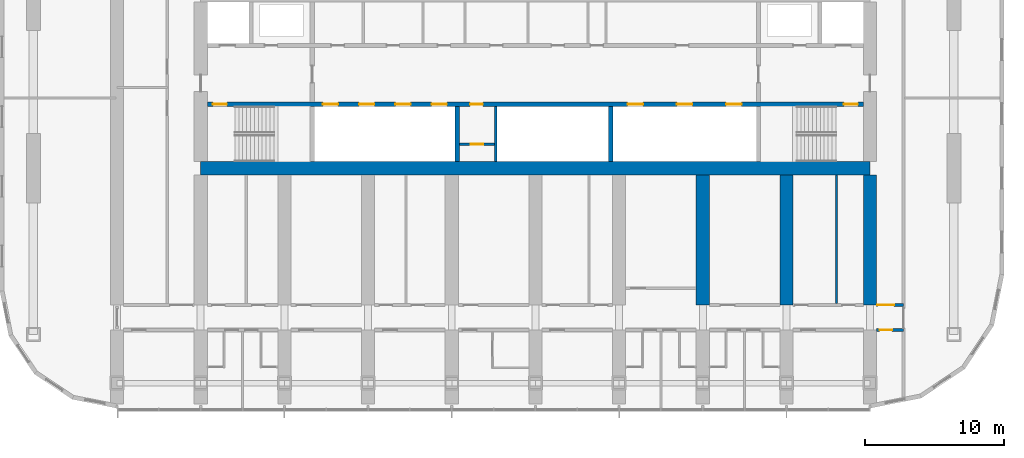
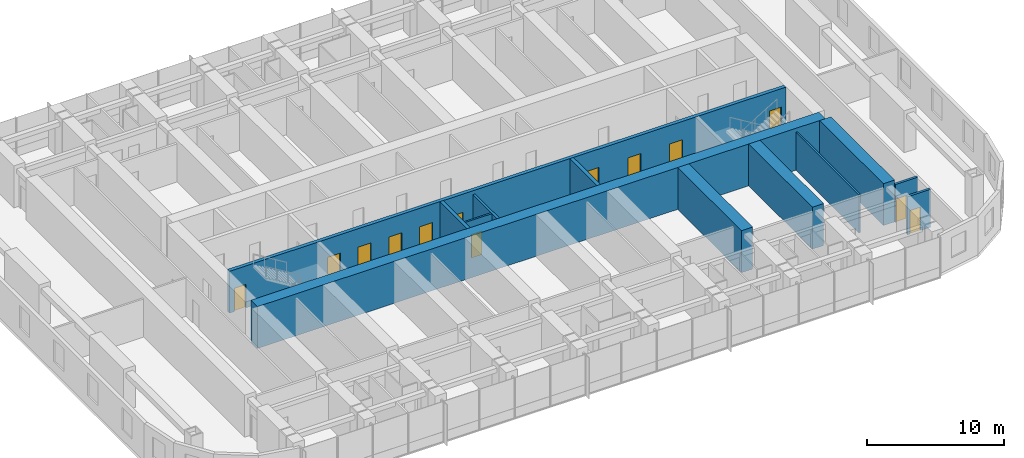
# One storey, part 11 of 20: 13 doors, 12 walls, 13 openings.
"""IFC4 building model written with IfcOpenShell, lengths in metres."""

import ifcopenshell
import ifcopenshell.guid

model = None  # the IFC model being written
_history = None  # IfcOwnerHistory: only IFC2X3 demands one
_inside = {}  # id of a spatial element -> (the spatial element, [elements in it])
_under = {}  # id of a project, library or spatial element -> (it, [spatial elements below it])
_declared = {}  # id of a project -> (the project, [libraries it declares])
_typed = {}  # id of a type object -> (the type object, [elements of that type])
_made_of = {}  # id of a material, layer set ... -> (it, [elements and type objects made of it])


def new_model(schema):
    """Start an empty IFC model of exactly this schema.

    Asked for "IFC4X3", IfcOpenShell would pick the latest addendum, in which some entities
    have other attributes; the version numbers below select the first issue.
    IFC2X3 requires an IfcOwnerHistory on every rooted entity: one is made here for all.
    """
    global model, _history
    if schema == "IFC4X3":
        model = ifcopenshell.file(schema_version=(4, 3, 0, 0))
    else:
        model = ifcopenshell.file(schema=schema)
    _inside.clear()
    _under.clear()
    _declared.clear()
    _typed.clear()
    _made_of.clear()
    _history = None
    if model.schema == "IFC2X3":
        org = make("IfcOrganization", Name="unknown")
        user = make(
            "IfcPersonAndOrganization",
            ThePerson=make("IfcPerson", FamilyName="unknown"),
            TheOrganization=org,
        )
        app = make(
            "IfcApplication",
            ApplicationDeveloper=org,
            Version="unknown",
            ApplicationFullName="unknown",
            ApplicationIdentifier="unknown",
        )
        _history = make(
            "IfcOwnerHistory",
            OwningUser=user,
            OwningApplication=app,
            ChangeAction="ADDED",
            CreationDate=0,
        )
    return model


def make(cls, **values):
    """One entity of the class cls with the attributes given. An attribute that is None is left unset."""
    return model.create_entity(
        cls, **{name: value for name, value in values.items() if value is not None}
    )


def rooted(cls, **values):
    """An entity with a GlobalId (a new one), such as an element, a storey or a relation."""
    return make(cls, GlobalId=ifcopenshell.guid.new(), OwnerHistory=_history, **values)


def si_unit(unit_type, name, prefix=None):
    """IfcSIUnit, for example si_unit("LENGTHUNIT", "METRE", prefix="MILLI")."""
    return make("IfcSIUnit", UnitType=unit_type, Prefix=prefix, Name=name)


def assignment(units):
    """IfcUnitAssignment: the units of a project."""
    return None if units is None else make("IfcUnitAssignment", Units=units)


def point(xyz):
    """IfcCartesianPoint."""
    return None if xyz is None else make("IfcCartesianPoint", Coordinates=xyz)


def direction(xyz):
    """IfcDirection."""
    return None if xyz is None else make("IfcDirection", DirectionRatios=xyz)


def frame(location, z_axis=None, x_axis=None):
    """IfcAxis2Placement3D, a coordinate frame: its origin and axes. An axis left out is left unset."""
    return make(
        "IfcAxis2Placement3D",
        Location=point(location),
        Axis=direction(z_axis),
        RefDirection=direction(x_axis),
    )


def frame_2d(location, x_axis=None):
    """IfcAxis2Placement2D, a coordinate frame in the plane: its origin and x axis."""
    return make(
        "IfcAxis2Placement2D", Location=point(location), RefDirection=direction(x_axis)
    )


def origin():
    """The frame at (0, 0, 0) with its axes left unset."""
    return frame((0.0, 0.0, 0.0))


def place(relative_to, where):
    """IfcLocalPlacement: puts the frame where relative to a parent placement (None: the world)."""
    return make(
        "IfcLocalPlacement", PlacementRelTo=relative_to, RelativePlacement=where
    )


def context(
    kind, dimensions, precision=None, world=None, true_north=None, identifier=None
):
    """IfcGeometricRepresentationContext, for example the 3D "Model" context."""
    return make(
        "IfcGeometricRepresentationContext",
        ContextIdentifier=identifier,
        ContextType=kind,
        CoordinateSpaceDimension=dimensions,
        Precision=precision,
        WorldCoordinateSystem=world,
        TrueNorth=true_north,
    )


def subcontext(parent, identifier, kind, view, scale=None):
    """IfcGeometricRepresentationSubContext, for example "Body" below "Model"."""
    return make(
        "IfcGeometricRepresentationSubContext",
        ContextIdentifier=identifier,
        ContextType=kind,
        ParentContext=parent,
        TargetScale=scale,
        TargetView=view,
    )


def project(units=None, contexts=None):
    """IfcProject with its units and contexts."""
    return rooted(
        "IfcProject",
        Name="project",
        RepresentationContexts=contexts,
        UnitsInContext=assignment(units),
    )


def spatial(cls, under=None, at=None, **own):
    """A site, building, storey or space (cls), placed at a placement, below another one or the project."""
    s = rooted(cls, ObjectPlacement=at, **own)
    if under is not None:
        _under.setdefault(under.id(), (under, []))[1].append(s)
    return s


def profile(cls, at=None, kind="AREA", **sizes):
    """A parametric profile (cls). Its sizes go by their IFC names, for example OverallWidth=200.0."""
    return make(cls, ProfileType=kind, Position=at, **sizes)


def rectangle(**sizes):
    """IfcRectangleProfileDef."""
    return profile("IfcRectangleProfileDef", **sizes)


def extrude(swept, where, along, depth):
    """IfcExtrudedAreaSolid: the profile swept, set in the frame where, extruded along a direction by depth."""
    return make(
        "IfcExtrudedAreaSolid",
        SweptArea=swept,
        Position=where,
        ExtrudedDirection=direction(along),
        Depth=depth,
    )


def shape(context_of_items, identifier, shape_type, items):
    """IfcShapeRepresentation: the items that make up one representation, for example the "Body"."""
    return make(
        "IfcShapeRepresentation",
        ContextOfItems=context_of_items,
        RepresentationIdentifier=identifier,
        RepresentationType=shape_type,
        Items=items,
    )


def material(Name=None, Category=None):
    """IfcMaterial."""
    return make("IfcMaterial", Name=Name, Category=Category)


def layer(
    of_material, thickness, ventilated=None, Name=None, Category=None, Priority=None
):
    """IfcMaterialLayer: one layer of a wall or slab, of a material (None: an air gap)."""
    return make(
        "IfcMaterialLayer",
        Material=of_material,
        LayerThickness=thickness,
        IsVentilated=ventilated,
        Name=Name,
        Category=Category,
        Priority=Priority,
    )


def layer_set(layers, Name=None):
    """IfcMaterialLayerSet."""
    return make("IfcMaterialLayerSet", MaterialLayers=layers, LayerSetName=Name)


def made_of(thing, what):
    """Note that an element or type object is made of a material, layer set ...; save() writes the relation."""
    if what is not None:
        _made_of.setdefault(what.id(), (what, []))[1].append(thing)
    return thing


def type_object(cls, material=None, **own):
    """A type object (cls), such as IfcWallType, which elements share."""
    return made_of(rooted(cls, **own), material)


def element(
    cls,
    number,
    at=None,
    inside=None,
    cuts=None,
    type_object=None,
    material=None,
    context=None,
    identifier="Body",
    shape_type=None,
    held_by="IfcProductDefinitionShape",
    body=None,
    shapes=None,
    **own,
):
    """One element of the class cls, such as IfcWall. Its Tag is "e" and its number.

    at: its placement. inside: the storey or other place that contains it. cuts: it is an
    opening in that element (IfcRelVoidsElement). A single representation is given by context,
    identifier, shape_type and body (its items); several are given by shapes. held_by: the class
    of the entity that holds the representations. save() writes the other relations.
    """
    e = rooted(cls, Tag="e%d" % number, ObjectPlacement=at, **own)
    if body is not None:
        shapes = [shape(context, identifier, shape_type, body)]
    if shapes is not None:
        e.Representation = make(held_by, Representations=shapes)
    if inside is not None:
        _inside.setdefault(inside.id(), (inside, []))[1].append(e)
    if cuts is not None:
        rooted(
            "IfcRelVoidsElement", RelatingBuildingElement=cuts, RelatedOpeningElement=e
        )
    if type_object is not None:
        _typed.setdefault(type_object.id(), (type_object, []))[1].append(e)
    return made_of(e, material)


def fill(opening, filler):
    """IfcRelFillsElement: the door or window that sits in an opening."""
    return rooted(
        "IfcRelFillsElement",
        RelatingOpeningElement=opening,
        RelatedBuildingElement=filler,
    )


def aggregate(whole, parts):
    """IfcRelAggregates: a whole, such as a stair, and the parts it consists of."""
    return rooted("IfcRelAggregates", RelatingObject=whole, RelatedObjects=parts)


def save(model, path):
    """Write the relations noted so far, then the file.

    IfcRelAggregates (storeys below a building ...), IfcRelContainedInSpatialStructure (elements
    in a storey), IfcRelDefinesByType, IfcRelAssociatesMaterial and IfcRelDeclares: one each for
    every whole, place, type object, material and project.
    """
    for whole, parts in _under.values():
        aggregate(whole, parts)
    for where, things in _inside.values():
        rooted(
            "IfcRelContainedInSpatialStructure",
            RelatedElements=things,
            RelatingStructure=where,
        )
    for kind, things in _typed.values():
        rooted("IfcRelDefinesByType", RelatedObjects=things, RelatingType=kind)
    for what, things in _made_of.values():
        rooted("IfcRelAssociatesMaterial", RelatedObjects=things, RelatingMaterial=what)
    for by, libraries in _declared.values():
        rooted("IfcRelDeclares", RelatingContext=by, RelatedDefinitions=libraries)
    model.write(path)


model = new_model("IFC4")

# Units and contexts
model_context = context("Model", 3, precision=1e-05, world=origin(), true_north=direction((0.0, 1.0)))
body_context = subcontext(model_context, "Body", "Model", "MODEL_VIEW")
ifc_project = project(units=[si_unit("LENGTHUNIT", "METRE"), si_unit("AREAUNIT", "SQUARE_METRE"), si_unit("VOLUMEUNIT", "CUBIC_METRE"), si_unit("PLANEANGLEUNIT", "RADIAN"), si_unit("MASSUNIT", "GRAM", prefix="KILO")], contexts=[model_context])

# Site, building, storey
site_placement = place(None, origin())
site = spatial("IfcSite", under=ifc_project, at=site_placement, CompositionType="ELEMENT")
building_placement = place(site_placement, origin())
building = spatial("IfcBuilding", under=site, at=building_placement, Name="Orbita Commons", CompositionType="ELEMENT")
storey_placement = place(building_placement, frame((0.0, 0.0, 129.39990234375)))
storey = spatial("IfcBuildingStorey", under=building, at=storey_placement, Name="L32", CompositionType="ELEMENT", Elevation=129.39990234375)

# Wall, openings, doors
ifc_material_1 = material(Name="Concrete C50/60", Category="concrete")
ifc_layer_1 = layer(ifc_material_1, 0.300048828125)
ifc_layer_set_1 = layer_set([ifc_layer_1], Name="Concrete C50/60")
wall_type_1 = type_object("IfcWallType", Name="Core inner wall 300 C50/60", PredefinedType="SHEAR", material=ifc_layer_set_1)
wall_1_placement = place(storey_placement, frame((18.47509765625, 30.39990234375, 0.0), z_axis=(0.0, 0.0, 1.0), x_axis=(1.0, 0.0, 0.0)))
wall_1 = element("IfcWall", 1, at=wall_1_placement, inside=storey, type_object=wall_type_1, Name="Lobby wall south L32", PredefinedType="SHEAR", context=body_context, shape_type="SweptSolid", body=[
    extrude(rectangle(XDim=47.0498046875, YDim=0.300048828125, at=frame_2d((23.52490234375, 0.0))), origin(), (0.0, 0.0, 1.0), 3.75),
])
opening_1_placement = place(wall_1_placement, frame((0.39990234375, 0.0, 0.0)))
opening_1 = element("IfcOpeningElement", 2, at=opening_1_placement, cuts=wall_1, Name="Opening D02", PredefinedType="OPENING", context=body_context, shape_type="SweptSolid", body=[
    extrude(rectangle(XDim=1.0, YDim=2.10009765625, at=frame_2d((0.5, 1.050048828125))), frame((0.0, 0.159912109375, 0.0), z_axis=(0.0, -1.0, 0.0), x_axis=(1.0, 0.0, 0.0)), (0.0, 0.0, 1.0), 0.320068359375),
])
opening_2_placement = place(wall_1_placement, frame((45.64990234375, 0.0, 0.0)))
opening_2 = element("IfcOpeningElement", 3, at=opening_2_placement, cuts=wall_1, Name="Opening D02", PredefinedType="OPENING", context=body_context, shape_type="SweptSolid", body=[
    extrude(rectangle(XDim=1.0, YDim=2.10009765625, at=frame_2d((0.5, 1.050048828125))), frame((0.0, 0.159912109375, 0.0), z_axis=(0.0, -1.0, 0.0), x_axis=(1.0, 0.0, 0.0)), (0.0, 0.0, 1.0), 0.320068359375),
])
opening_3_placement = place(wall_1_placement, frame((8.27490234375, 0.0, 0.0)))
opening_3 = element("IfcOpeningElement", 4, at=opening_3_placement, cuts=wall_1, Name="Opening LD02", PredefinedType="OPENING", context=body_context, shape_type="SweptSolid", body=[
    extrude(rectangle(XDim=1.10009765625, YDim=2.10009765625, at=frame_2d((0.550048828125, 1.050048828125))), frame((0.0, 0.159912109375, 0.0), z_axis=(0.0, -1.0, 0.0), x_axis=(1.0, 0.0, 0.0)), (0.0, 0.0, 1.0), 0.320068359375),
])
opening_4_placement = place(wall_1_placement, frame((10.875, 0.0, 0.0)))
opening_4 = element("IfcOpeningElement", 5, at=opening_4_placement, cuts=wall_1, Name="Opening LD02", PredefinedType="OPENING", context=body_context, shape_type="SweptSolid", body=[
    extrude(rectangle(XDim=1.10009765625, YDim=2.10009765625, at=frame_2d((0.550048828125, 1.050048828125))), frame((0.0, 0.159912109375, 0.0), z_axis=(0.0, -1.0, 0.0), x_axis=(1.0, 0.0, 0.0)), (0.0, 0.0, 1.0), 0.320068359375),
])
opening_5_placement = place(wall_1_placement, frame((13.47509765625, 0.0, 0.0)))
opening_5 = element("IfcOpeningElement", 6, at=opening_5_placement, cuts=wall_1, Name="Opening LD02", PredefinedType="OPENING", context=body_context, shape_type="SweptSolid", body=[
    extrude(rectangle(XDim=1.10009765625, YDim=2.10009765625, at=frame_2d((0.550048828125, 1.050048828125))), frame((0.0, 0.159912109375, 0.0), z_axis=(0.0, -1.0, 0.0), x_axis=(1.0, 0.0, 0.0)), (0.0, 0.0, 1.0), 0.320068359375),
])
opening_6_placement = place(wall_1_placement, frame((16.074951171875, 0.0, 0.0)))
opening_6 = element("IfcOpeningElement", 7, at=opening_6_placement, cuts=wall_1, Name="Opening LD02", PredefinedType="OPENING", context=body_context, shape_type="SweptSolid", body=[
    extrude(rectangle(XDim=1.10009765625, YDim=2.10009765625, at=frame_2d((0.550048828125, 1.050048828125))), frame((0.0, 0.159912109375, 0.0), z_axis=(0.0, -1.0, 0.0), x_axis=(1.0, 0.0, 0.0)), (0.0, 0.0, 1.0), 0.320068359375),
])
opening_7_placement = place(wall_1_placement, frame((18.85009765625, 0.0, 0.0)))
opening_7 = element("IfcOpeningElement", 8, at=opening_7_placement, cuts=wall_1, Name="Opening D05", PredefinedType="OPENING", context=body_context, shape_type="SweptSolid", body=[
    extrude(rectangle(XDim=0.89990234375, YDim=2.10009765625, at=frame_2d((0.449951171875, 1.050048828125))), frame((0.0, 0.159912109375, 0.0), z_axis=(0.0, -1.0, 0.0), x_axis=(1.0, 0.0, 0.0)), (0.0, 0.0, 1.0), 0.320068359375),
])
opening_8_placement = place(wall_1_placement, frame((30.1416015625, 0.0, 0.0)))
opening_8 = element("IfcOpeningElement", 9, at=opening_8_placement, cuts=wall_1, Name="Opening LD02", PredefinedType="OPENING", context=body_context, shape_type="SweptSolid", body=[
    extrude(rectangle(XDim=1.10009765625, YDim=2.10009765625, at=frame_2d((0.550048828125, 1.050048828125))), frame((0.0, 0.159912109375, 0.0), z_axis=(0.0, -1.0, 0.0), x_axis=(1.0, 0.0, 0.0)), (0.0, 0.0, 1.0), 0.320068359375),
])
opening_9_placement = place(wall_1_placement, frame((33.675048828125, 0.0, 0.0)))
opening_9 = element("IfcOpeningElement", 10, at=opening_9_placement, cuts=wall_1, Name="Opening LD02", PredefinedType="OPENING", context=body_context, shape_type="SweptSolid", body=[
    extrude(rectangle(XDim=1.10009765625, YDim=2.10009765625, at=frame_2d((0.550048828125, 1.050048828125))), frame((0.0, 0.159912109375, 0.0), z_axis=(0.0, -1.0, 0.0), x_axis=(1.0, 0.0, 0.0)), (0.0, 0.0, 1.0), 0.320068359375),
])
opening_10_placement = place(wall_1_placement, frame((37.208251953125, 0.0, 0.0)))
opening_10 = element("IfcOpeningElement", 11, at=opening_10_placement, cuts=wall_1, Name="Opening LD02", PredefinedType="OPENING", context=body_context, shape_type="SweptSolid", body=[
    extrude(rectangle(XDim=1.10009765625, YDim=2.10009765625, at=frame_2d((0.550048828125, 1.050048828125))), frame((0.0, 0.159912109375, 0.0), z_axis=(0.0, -1.0, 0.0), x_axis=(1.0, 0.0, 0.0)), (0.0, 0.0, 1.0), 0.320068359375),
])
ifc_material_2 = material(Name="Steel-faced fire door leaf", Category="steel")
door_type_1 = type_object("IfcDoorType", Name="Fire door 90 min 1000x2100", OperationType="SINGLE_SWING_LEFT", PredefinedType="DOOR", material=ifc_material_2)
door_1_placement = place(opening_1_placement, origin())
door_1 = element("IfcDoor", 12, at=door_1_placement, inside=storey, type_object=door_type_1, Name="Stair S1 door", OperationType="SINGLE_SWING_LEFT", OverallHeight=2.10009765625, OverallWidth=1.0, PredefinedType="DOOR", context=body_context, shape_type="SweptSolid", body=[
    extrude(rectangle(XDim=1.0, YDim=2.10009765625, at=frame_2d((0.5, 1.050048828125))), frame((0.0, 0.02490234375, 0.0), z_axis=(0.0, -1.0, 0.0), x_axis=(1.0, 0.0, 0.0)), (0.0, 0.0, 1.0), 0.050048828125),
])
fill(opening_1, door_1)
door_2_placement = place(opening_2_placement, origin())
door_2 = element("IfcDoor", 13, at=door_2_placement, inside=storey, type_object=door_type_1, Name="Stair S2 door", OperationType="SINGLE_SWING_LEFT", OverallHeight=2.10009765625, OverallWidth=1.0, PredefinedType="DOOR", context=body_context, shape_type="SweptSolid", body=[
    extrude(rectangle(XDim=1.0, YDim=2.10009765625, at=frame_2d((0.5, 1.050048828125))), frame((0.0, 0.02490234375, 0.0), z_axis=(0.0, -1.0, 0.0), x_axis=(1.0, 0.0, 0.0)), (0.0, 0.0, 1.0), 0.050048828125),
])
fill(opening_2, door_2)
ifc_material_3 = material(Name="Steel-faced fire door leaf", Category="steel")
door_type_2 = type_object("IfcDoorType", Name="Lift landing door 1100x2100", OperationType="DOUBLE_DOOR_SLIDING", PredefinedType="DOOR", material=ifc_material_3)
door_3_placement = place(opening_3_placement, origin())
door_3 = element("IfcDoor", 14, at=door_3_placement, inside=storey, type_object=door_type_2, Name="Lift P21 landing door", OperationType="DOUBLE_DOOR_SLIDING", OverallHeight=2.10009765625, OverallWidth=1.10009765625, PredefinedType="DOOR", context=body_context, shape_type="SweptSolid", body=[
    extrude(rectangle(XDim=1.10009765625, YDim=2.10009765625, at=frame_2d((0.550048828125, 1.050048828125))), frame((0.0, 0.02490234375, 0.0), z_axis=(0.0, -1.0, 0.0), x_axis=(1.0, 0.0, 0.0)), (0.0, 0.0, 1.0), 0.050048828125),
])
fill(opening_3, door_3)
door_4_placement = place(opening_4_placement, origin())
door_4 = element("IfcDoor", 15, at=door_4_placement, inside=storey, type_object=door_type_2, Name="Lift P22 landing door", OperationType="DOUBLE_DOOR_SLIDING", OverallHeight=2.10009765625, OverallWidth=1.10009765625, PredefinedType="DOOR", context=body_context, shape_type="SweptSolid", body=[
    extrude(rectangle(XDim=1.10009765625, YDim=2.10009765625, at=frame_2d((0.550048828125, 1.050048828125))), frame((0.0, 0.02490234375, 0.0), z_axis=(0.0, -1.0, 0.0), x_axis=(1.0, 0.0, 0.0)), (0.0, 0.0, 1.0), 0.050048828125),
])
fill(opening_4, door_4)
door_5_placement = place(opening_5_placement, origin())
door_5 = element("IfcDoor", 16, at=door_5_placement, inside=storey, type_object=door_type_2, Name="Lift P23 landing door", OperationType="DOUBLE_DOOR_SLIDING", OverallHeight=2.10009765625, OverallWidth=1.10009765625, PredefinedType="DOOR", context=body_context, shape_type="SweptSolid", body=[
    extrude(rectangle(XDim=1.10009765625, YDim=2.10009765625, at=frame_2d((0.550048828125, 1.050048828125))), frame((0.0, 0.02490234375, 0.0), z_axis=(0.0, -1.0, 0.0), x_axis=(1.0, 0.0, 0.0)), (0.0, 0.0, 1.0), 0.050048828125),
])
fill(opening_5, door_5)
door_6_placement = place(opening_6_placement, origin())
door_6 = element("IfcDoor", 17, at=door_6_placement, inside=storey, type_object=door_type_2, Name="Lift P24 landing door", OperationType="DOUBLE_DOOR_SLIDING", OverallHeight=2.10009765625, OverallWidth=1.10009765625, PredefinedType="DOOR", context=body_context, shape_type="SweptSolid", body=[
    extrude(rectangle(XDim=1.10009765625, YDim=2.10009765625, at=frame_2d((0.550048828125, 1.050048828125))), frame((0.0, 0.02490234375, 0.0), z_axis=(0.0, -1.0, 0.0), x_axis=(1.0, 0.0, 0.0)), (0.0, 0.0, 1.0), 0.050048828125),
])
fill(opening_6, door_6)
door_7_placement = place(opening_8_placement, origin())
door_7 = element("IfcDoor", 18, at=door_7_placement, inside=storey, type_object=door_type_2, Name="Lift SV1 landing door", OperationType="DOUBLE_DOOR_SLIDING", OverallHeight=2.10009765625, OverallWidth=1.10009765625, PredefinedType="DOOR", context=body_context, shape_type="SweptSolid", body=[
    extrude(rectangle(XDim=1.10009765625, YDim=2.10009765625, at=frame_2d((0.550048828125, 1.050048828125))), frame((0.0, 0.02490234375, 0.0), z_axis=(0.0, -1.0, 0.0), x_axis=(1.0, 0.0, 0.0)), (0.0, 0.0, 1.0), 0.050048828125),
])
fill(opening_8, door_7)
door_8_placement = place(opening_9_placement, origin())
door_8 = element("IfcDoor", 19, at=door_8_placement, inside=storey, type_object=door_type_2, Name="Lift SV2 landing door", OperationType="DOUBLE_DOOR_SLIDING", OverallHeight=2.10009765625, OverallWidth=1.10009765625, PredefinedType="DOOR", context=body_context, shape_type="SweptSolid", body=[
    extrude(rectangle(XDim=1.10009765625, YDim=2.10009765625, at=frame_2d((0.550048828125, 1.050048828125))), frame((0.0, 0.02490234375, 0.0), z_axis=(0.0, -1.0, 0.0), x_axis=(1.0, 0.0, 0.0)), (0.0, 0.0, 1.0), 0.050048828125),
])
fill(opening_9, door_8)
door_9_placement = place(opening_10_placement, origin())
door_9 = element("IfcDoor", 20, at=door_9_placement, inside=storey, type_object=door_type_2, Name="Lift SV3 landing door", OperationType="DOUBLE_DOOR_SLIDING", OverallHeight=2.10009765625, OverallWidth=1.10009765625, PredefinedType="DOOR", context=body_context, shape_type="SweptSolid", body=[
    extrude(rectangle(XDim=1.10009765625, YDim=2.10009765625, at=frame_2d((0.550048828125, 1.050048828125))), frame((0.0, 0.02490234375, 0.0), z_axis=(0.0, -1.0, 0.0), x_axis=(1.0, 0.0, 0.0)), (0.0, 0.0, 1.0), 0.050048828125),
])
fill(opening_10, door_9)
ifc_material_4 = material(Name="Steel-faced fire door leaf", Category="steel")
door_type_3 = type_object("IfcDoorType", Name="Service door 20 min 900x2100", OperationType="SINGLE_SWING_LEFT", PredefinedType="DOOR", material=ifc_material_4)
door_10_placement = place(opening_7_placement, origin())
door_10 = element("IfcDoor", 21, at=door_10_placement, inside=storey, type_object=door_type_3, Name="IT room door", OperationType="SINGLE_SWING_LEFT", OverallHeight=2.10009765625, OverallWidth=0.89990234375, PredefinedType="DOOR", context=body_context, shape_type="SweptSolid", body=[
    extrude(rectangle(XDim=0.89990234375, YDim=2.10009765625, at=frame_2d((0.449951171875, 1.050048828125))), frame((0.0, 0.02490234375, 0.0), z_axis=(0.0, -1.0, 0.0), x_axis=(1.0, 0.0, 0.0)), (0.0, 0.0, 1.0), 0.050048828125),
])
fill(opening_7, door_10)

# Walls
for number, where, z_axis, x_axis, name in (
    (22, (36.39990234375, 26.27490234375, 0.0), (0.0, 0.0, 1.0), (0.0, 1.0, 0.0), "Hoistway division wall L32"),
    (23, (47.39990234375, 26.27490234375, 0.0), (0.0, 0.0, 1.0), (0.0, 1.0, 0.0), "Hoistway division wall L32"),
):
    element("IfcWall", number, at=place(storey_placement, frame(where, z_axis=z_axis, x_axis=x_axis)), inside=storey, type_object=wall_type_1, Name=name, PredefinedType="SHEAR", context=body_context, shape_type="SweptSolid", body=[
        extrude(rectangle(XDim=3.97509765625, YDim=0.300048828125, at=frame_2d((1.987548828125, 0.0))), origin(), (0.0, 0.0, 1.0), 3.75),
    ])

# Wall, opening, door
ifc_material_5 = material(Name="Concrete blockwork", Category="masonry")
ifc_layer_2 = layer(ifc_material_5, 0.14990234375)
ifc_layer_set_2 = layer_set([ifc_layer_2], Name="Concrete blockwork")
wall_type_2 = type_object("IfcWallType", Name="Core partition 150 blockwork", PredefinedType="SOLIDWALL", material=ifc_layer_set_2)
wall_2_placement = place(storey_placement, frame((36.550048828125, 27.52490234375, 0.0), z_axis=(0.0, 0.0, 1.0), x_axis=(1.0, 0.0, 0.0)))
wall_2 = element("IfcWall", 24, at=wall_2_placement, inside=storey, type_object=wall_type_2, Name="Core partition 150 blockwork L32", PredefinedType="SOLIDWALL", context=body_context, shape_type="SweptSolid", body=[
    extrude(rectangle(XDim=2.5, YDim=0.14990234375, at=frame_2d((1.25, 0.0))), origin(), (0.0, 0.0, 1.0), 3.400146484375),
])
opening_11_placement = place(wall_2_placement, frame((0.800048828125, 0.0, 0.0)))
opening_11 = element("IfcOpeningElement", 25, at=opening_11_placement, cuts=wall_2, Name="Opening D05", PredefinedType="OPENING", context=body_context, shape_type="SweptSolid", body=[
    extrude(rectangle(XDim=0.89990234375, YDim=2.10009765625, at=frame_2d((0.449951171875, 1.050048828125))), frame((0.0, 0.0849609375, 0.0), z_axis=(0.0, -1.0, 0.0), x_axis=(1.0, 0.0, 0.0)), (0.0, 0.0, 1.0), 0.169921875),
])
door_11_placement = place(opening_11_placement, origin())
door_11 = element("IfcDoor", 26, at=door_11_placement, inside=storey, type_object=door_type_3, Name="Cupboard door off IT room", OperationType="SINGLE_SWING_LEFT", OverallHeight=2.10009765625, OverallWidth=0.89990234375, PredefinedType="DOOR", context=body_context, shape_type="SweptSolid", body=[
    extrude(rectangle(XDim=0.89990234375, YDim=2.10009765625, at=frame_2d((0.449951171875, 1.050048828125))), frame((0.0, 0.02490234375, 0.0), z_axis=(0.0, -1.0, 0.0), x_axis=(1.0, 0.0, 0.0)), (0.0, 0.0, 1.0), 0.050048828125),
])
fill(opening_11, door_11)

# Wall
ifc_material_6 = material(Name="Concrete C50/60", Category="concrete")
ifc_layer_3 = layer(ifc_material_6, 0.949951171875)
ifc_layer_set_3 = layer_set([ifc_layer_3], Name="Concrete C50/60")
wall_type_3 = type_object("IfcWallType", Name="Core wall 950 C50/60", PredefinedType="SHEAR", material=ifc_layer_set_3)
wall_3_placement = place(storey_placement, frame((18.0, 25.800048828125, 0.0), z_axis=(0.0, 0.0, 1.0), x_axis=(1.0, 0.0, 0.0)))
element("IfcWall", 27, at=wall_3_placement, inside=storey, type_object=wall_type_3, Name="Core spine wall south L32", PredefinedType="SHEAR", context=body_context, shape_type="SweptSolid", body=[
    extrude(rectangle(XDim=48.0, YDim=0.949951171875, at=frame_2d((24.0, 0.0))), origin(), (0.0, 0.0, 1.0), 3.75),
])

# Wall, opening, door
ifc_material_7 = material(Name="Concrete blockwork", Category="masonry")
ifc_layer_4 = layer(ifc_material_7, 0.199951171875)
ifc_layer_set_4 = layer_set([ifc_layer_4], Name="Concrete blockwork")
wall_type_4 = type_object("IfcWallType", Name="Corridor wall 200 blockwork", PredefinedType="SOLIDWALL", material=ifc_layer_set_4)
wall_4_placement = place(storey_placement, frame((66.47509765625, 14.199951171875, 0.0), z_axis=(0.0, 0.0, 1.0), x_axis=(1.0, 0.0, 0.0)))
wall_4 = element("IfcWall", 28, at=wall_4_placement, inside=storey, type_object=wall_type_4, Name="Corridor wall 200 blockwork L32", PredefinedType="SOLIDWALL", context=body_context, shape_type="SweptSolid", body=[
    extrude(rectangle(XDim=1.9248046875, YDim=0.199951171875, at=frame_2d((0.96240234375, 0.0))), origin(), (0.0, 0.0, 1.0), 3.400146484375),
])
opening_12_placement = place(wall_4_placement, frame((0.199951171875, 0.0, 0.0)))
opening_12 = element("IfcOpeningElement", 29, at=opening_12_placement, cuts=wall_4, Name="Opening D05", PredefinedType="OPENING", context=body_context, shape_type="SweptSolid", body=[
    extrude(rectangle(XDim=0.89990234375, YDim=2.10009765625, at=frame_2d((0.449951171875, 1.050048828125))), frame((0.0, 0.10986328125, 0.0), z_axis=(0.0, -1.0, 0.0), x_axis=(1.0, 0.0, 0.0)), (0.0, 0.0, 1.0), 0.219970703125),
])
door_12_placement = place(opening_12_placement, origin())
door_12 = element("IfcDoor", 30, at=door_12_placement, inside=storey, type_object=door_type_3, Name="Linen store L32-KES door", OperationType="SINGLE_SWING_LEFT", OverallHeight=2.10009765625, OverallWidth=0.89990234375, PredefinedType="DOOR", context=body_context, shape_type="SweptSolid", body=[
    extrude(rectangle(XDim=0.89990234375, YDim=2.10009765625, at=frame_2d((0.449951171875, 1.050048828125))), frame((0.0, 0.02490234375, 0.0), z_axis=(0.0, -1.0, 0.0), x_axis=(1.0, 0.0, 0.0)), (0.0, 0.0, 1.0), 0.050048828125),
])
fill(opening_12, door_12)

ifc_material_8 = material(Name="Hollow concrete block 200", Category="concrete")
ifc_layer_5 = layer(ifc_material_8, 0.199951171875)
ifc_layer_set_5 = layer_set([ifc_layer_5], Name="Hollow concrete block 200")
wall_type_5 = type_object("IfcWallType", Name="Corridor wall 200 hollow concrete block", PredefinedType="SOLIDWALL", material=ifc_layer_set_5)
wall_5_placement = place(storey_placement, frame((66.47509765625, 16.0, 0.0), z_axis=(0.0, 0.0, 1.0), x_axis=(1.0, 0.0, 0.0)))
wall_5 = element("IfcWall", 31, at=wall_5_placement, inside=storey, type_object=wall_type_5, Name="Corridor wall 200 hollow concrete block L32", PredefinedType="SOLIDWALL", context=body_context, shape_type="SweptSolid", body=[
    extrude(rectangle(XDim=1.9248046875, YDim=0.199951171875, at=frame_2d((0.96240234375, 0.0))), origin(), (0.0, 0.0, 1.0), 3.400146484375),
])
opening_13_placement = place(wall_5_placement, frame((0.050048828125, 0.0, 0.0)))
opening_13 = element("IfcOpeningElement", 32, at=opening_13_placement, cuts=wall_5, Name="Opening D12", PredefinedType="OPENING", context=body_context, shape_type="SweptSolid", body=[
    extrude(rectangle(XDim=1.199951171875, YDim=2.10009765625, at=frame_2d((0.60009765625, 1.050048828125))), frame((0.0, 0.10986328125, 0.0), z_axis=(0.0, -1.0, 0.0), x_axis=(1.0, 0.0, 0.0)), (0.0, 0.0, 1.0), 0.219970703125),
])
ifc_material_9 = material(Name="Steel-faced fire door leaf", Category="steel")
door_type_4 = type_object("IfcDoorType", Name="Double corridor door 20 min 1200x2100", OperationType="DOUBLE_DOOR_SINGLE_SWING", PredefinedType="DOOR", material=ifc_material_9)
door_13_placement = place(opening_13_placement, origin())
door_13 = element("IfcDoor", 33, at=door_13_placement, inside=storey, type_object=door_type_4, Name="Cross corridor doors", OperationType="DOUBLE_DOOR_SINGLE_SWING", OverallHeight=2.10009765625, OverallWidth=1.199951171875, PredefinedType="DOOR", context=body_context, shape_type="SweptSolid", body=[
    extrude(rectangle(XDim=1.199951171875, YDim=2.10009765625, at=frame_2d((0.60009765625, 1.050048828125))), frame((0.0, 0.02490234375, 0.0), z_axis=(0.0, -1.0, 0.0), x_axis=(1.0, 0.0, 0.0)), (0.0, 0.0, 1.0), 0.050048828125),
])
fill(opening_13, door_13)

# Walls
ifc_material_10 = material(Name="Concrete C50/60", Category="concrete")
ifc_layer_6 = layer(ifc_material_10, 0.949951171875)
ifc_layer_set_6 = layer_set([ifc_layer_6], Name="Concrete C50/60")
wall_type_6 = type_object("IfcWallType", Name="Cross wall 950 C50/60", PredefinedType="SHEAR", material=ifc_layer_set_6)
for number, where, z_axis, x_axis, name in (
    (34, (54.0, 16.0, 0.0), (0.0, 0.0, 1.0), (0.0, 1.0, 0.0), "Cross wall 10 south inner L32"),
    (35, (60.0, 16.0, 0.0), (0.0, 0.0, 1.0), (0.0, 1.0, 0.0), "Cross wall 11 south inner L32"),
    (36, (66.0, 16.0, 0.0), (0.0, 0.0, 1.0), (0.0, 1.0, 0.0), "Cross wall 12 south inner L32"),
):
    element("IfcWall", number, at=place(storey_placement, frame(where, z_axis=z_axis, x_axis=x_axis)), inside=storey, type_object=wall_type_6, Name=name, PredefinedType="SHEAR", context=body_context, shape_type="SweptSolid", body=[
        extrude(rectangle(XDim=9.324951171875, YDim=0.949951171875, at=frame_2d((4.66259765625, 0.0))), origin(), (0.0, 0.0, 1.0), 3.75),
    ])
ifc_material_11 = material(Name="Gypsum plasterboard on steel studs", Category="steel")
ifc_layer_7 = layer(ifc_material_11, 0.14990234375)
ifc_layer_set_7 = layer_set([ifc_layer_7], Name="Gypsum plasterboard on steel studs")
wall_type_7 = type_object("IfcWallType", Name="Partition 150 plasterboard", PredefinedType="PARTITIONING", material=ifc_layer_set_7)
wall_6_placement = place(storey_placement, frame((63.5849609375, 16.10009765625, 0.0), z_axis=(0.0, 0.0, 1.0), x_axis=(0.0, 1.0, 0.0)))
element("IfcWall", 37, at=wall_6_placement, inside=storey, type_object=wall_type_7, Name="Partition 150 plasterboard L32", PredefinedType="PARTITIONING", context=body_context, shape_type="SweptSolid", body=[
    extrude(rectangle(XDim=9.224853515625, YDim=0.14990234375, at=frame_2d((4.6123046875, 0.0))), origin(), (0.0, 0.0, 1.0), 3.400146484375),
])
ifc_material_12 = material(Name="Concrete blockwork, fully filled", Category="masonry")
ifc_layer_8 = layer(ifc_material_12, 0.199951171875)
ifc_layer_set_8 = layer_set([ifc_layer_8], Name="Concrete blockwork, fully filled")
wall_type_8 = type_object("IfcWallType", Name="Shaft partition 200 blockwork", PredefinedType="SOLIDWALL", material=ifc_layer_set_8)
wall_7_placement = place(storey_placement, frame((39.14990234375, 26.27490234375, 0.0), z_axis=(0.0, 0.0, 1.0), x_axis=(0.0, 1.0, 0.0)))
element("IfcWall", 38, at=wall_7_placement, inside=storey, type_object=wall_type_8, Name="Shaft partition 200 blockwork L32", PredefinedType="SOLIDWALL", context=body_context, shape_type="SweptSolid", body=[
    extrude(rectangle(XDim=3.97509765625, YDim=0.199951171875, at=frame_2d((1.987548828125, 0.0))), origin(), (0.0, 0.0, 1.0), 3.400146484375),
])

save(model, "model.ifc")
